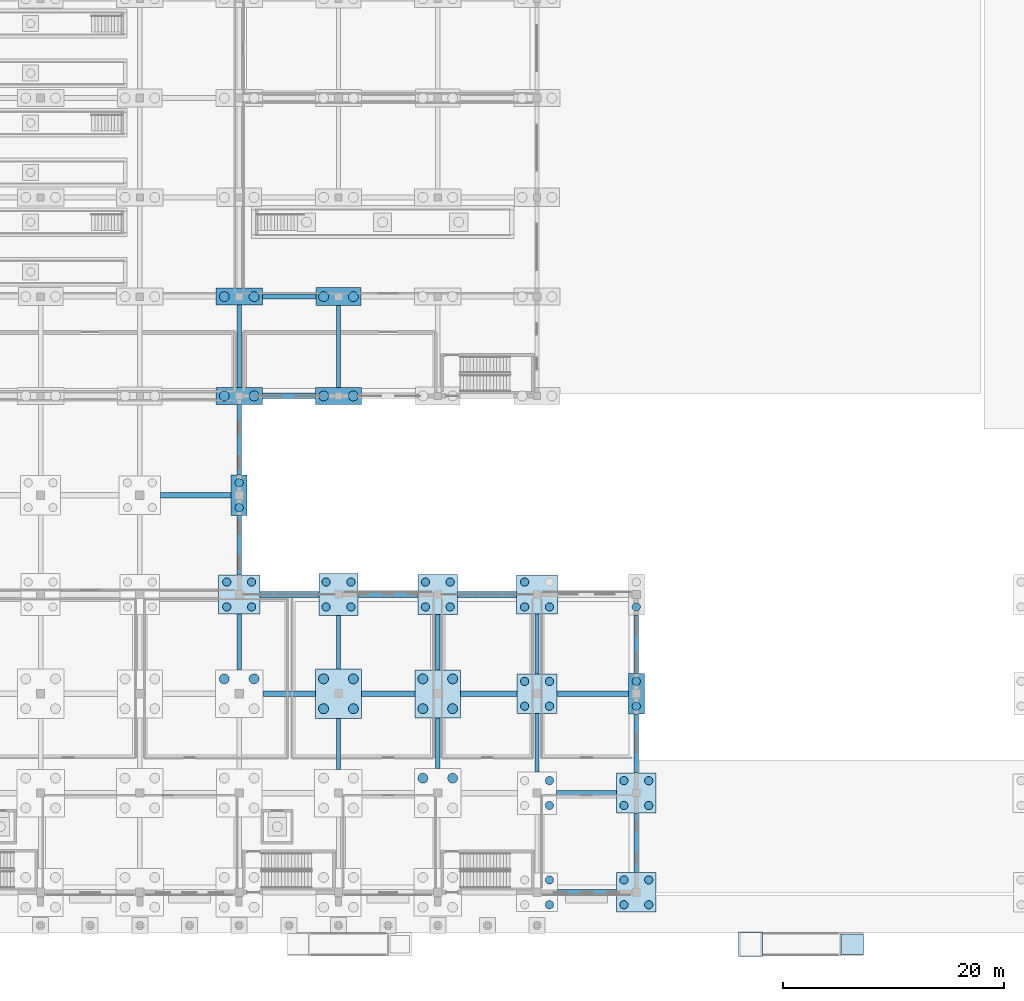
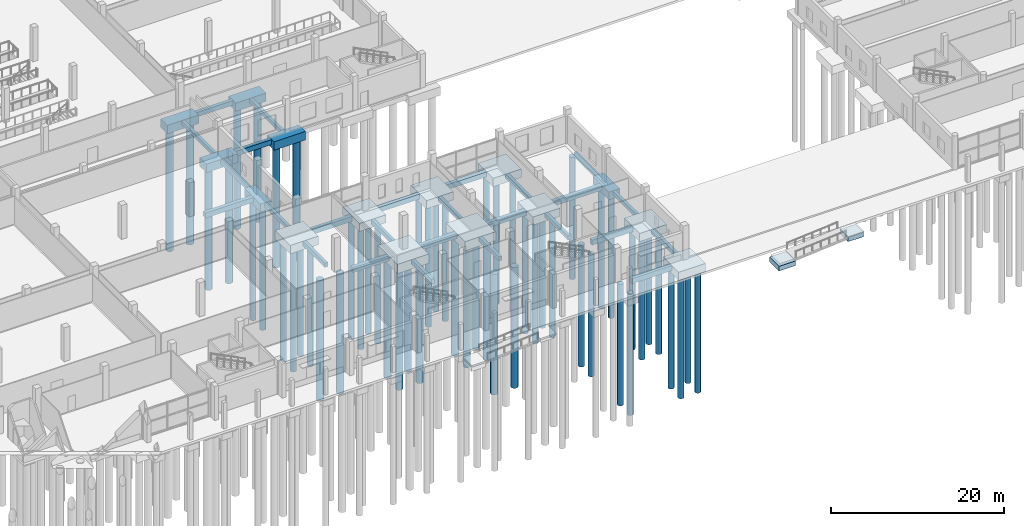
# One storey, part 5 of 112: 56 piles, 43 footings.
"""IFC4 building model written with IfcOpenShell, lengths in metres."""

from ifc_helpers import new_model, si_unit, direction, frame, origin, origin_2d, place, context, subcontext, project, spatial, polyline, rectangle, circle, outline, extrude, material, material_profile, profile_set, type_object, element, save


model = new_model("IFC4")

# Units and contexts
model_context = context("Model", 3, precision=1e-05, world=origin(), true_north=direction((0.0, 1.0)))
body_context = subcontext(model_context, "Body", "Model", "MODEL_VIEW")
ifc_project = project(units=[si_unit("LENGTHUNIT", "METRE"), si_unit("AREAUNIT", "SQUARE_METRE"), si_unit("VOLUMEUNIT", "CUBIC_METRE"), si_unit("PLANEANGLEUNIT", "RADIAN"), si_unit("MASSUNIT", "GRAM", prefix="KILO")], contexts=[model_context])

# Site, building, storey
site_placement = place(None, origin())
site = spatial("IfcSite", under=ifc_project, at=site_placement, CompositionType="ELEMENT")
building_placement = place(site_placement, origin())
building = spatial("IfcBuilding", under=site, at=building_placement, Name="Tharagai Park Tramway Depot", CompositionType="ELEMENT")
storey_placement = place(building_placement, origin())
storey = spatial("IfcBuildingStorey", under=building, at=storey_placement, Name="L00", CompositionType="ELEMENT", Elevation=0.0)

# Piles
ifc_material = material(Name="Concrete M40", Category="concrete")
ifc_material_profile_1 = material_profile(ifc_material, circle(Radius=0.449951171875, at=origin_2d()), Name="PILE D900")
ifc_profile_set_1 = profile_set([ifc_material_profile_1], Name="Concrete M40")
pile_type_1 = type_object("IfcPileType", Name="BP-01", PredefinedType="BORED", material=ifc_profile_set_1)
for number, where, z_axis, x_axis, name in (
    (1, (61.64990234375, 19.35009765625, -1.550048828125), (0.0, 0.0, -1.0), (1.0, 0.0, 0.0), "Bored Pile BP-01 (63,18) #3"),
    (2, (64.35009765625, 19.35009765625, -1.550048828125), (0.0, 0.0, -1.0), (1.0, 0.0, 0.0), "Bored Pile BP-01 (63,18) #4"),
):
    element("IfcPile", number, at=place(storey_placement, frame(where, z_axis=z_axis, x_axis=x_axis)), inside=storey, type_object=pile_type_1, Name=name, PredefinedType="BORED", context=body_context, shape_type="SweptSolid", body=[
        extrude(circle(Radius=0.449951171875, at=origin_2d()), origin(), (0.0, 0.0, 1.0), 16.949951171875),
    ])
for number, where, z_axis, x_axis, name in (
    (3, (61.64990234375, 45.0, -1.39990234375), (0.0, 0.0, -1.0), (1.0, 0.0, 0.0), "Bored Pile BP-01 (63,45) #1"),
    (4, (64.35009765625, 45.0, -1.39990234375), (0.0, 0.0, -1.0), (1.0, 0.0, 0.0), "Bored Pile BP-01 (63,45) #2"),
    (5, (61.64990234375, 54.0, -1.39990234375), (0.0, 0.0, -1.0), (1.0, 0.0, 0.0), "Bored Pile BP-01 (63,54) #1"),
    (6, (64.35009765625, 54.0, -1.39990234375), (0.0, 0.0, -1.0), (1.0, 0.0, 0.0), "Bored Pile BP-01 (63,54) #2"),
):
    element("IfcPile", number, at=place(storey_placement, frame(where, z_axis=z_axis, x_axis=x_axis)), inside=storey, type_object=pile_type_1, Name=name, PredefinedType="BORED", context=body_context, shape_type="SweptSolid", body=[
        extrude(circle(Radius=0.449951171875, at=origin_2d()), origin(), (0.0, 0.0, 1.0), 17.10009765625),
    ])
for number, where, z_axis, x_axis, name in (
    (7, (70.64990234375, 16.64990234375, -1.5), (0.0, 0.0, -1.0), (1.0, 0.0, 0.0), "Bored Pile BP-01 (72,18) #1"),
    (8, (73.35009765625, 16.64990234375, -1.5), (0.0, 0.0, -1.0), (1.0, 0.0, 0.0), "Bored Pile BP-01 (72,18) #2"),
    (9, (70.64990234375, 19.35009765625, -1.5), (0.0, 0.0, -1.0), (1.0, 0.0, 0.0), "Bored Pile BP-01 (72,18) #3"),
    (10, (73.35009765625, 19.35009765625, -1.5), (0.0, 0.0, -1.0), (1.0, 0.0, 0.0), "Bored Pile BP-01 (72,18) #4"),
):
    element("IfcPile", number, at=place(storey_placement, frame(where, z_axis=z_axis, x_axis=x_axis)), inside=storey, type_object=pile_type_1, Name=name, PredefinedType="BORED", context=body_context, shape_type="SweptSolid", body=[
        extrude(circle(Radius=0.449951171875, at=origin_2d()), origin(), (0.0, 0.0, 1.0), 17.0),
    ])
for number, where, z_axis, x_axis, name in (
    (11, (70.64990234375, 45.0, -1.39990234375), (0.0, 0.0, -1.0), (1.0, 0.0, 0.0), "Bored Pile BP-01 (72,45) #1"),
    (12, (73.35009765625, 45.0, -1.39990234375), (0.0, 0.0, -1.0), (1.0, 0.0, 0.0), "Bored Pile BP-01 (72,45) #2"),
):
    element("IfcPile", number, at=place(storey_placement, frame(where, z_axis=z_axis, x_axis=x_axis)), inside=storey, type_object=pile_type_1, Name=name, PredefinedType="BORED", context=body_context, shape_type="SweptSolid", body=[
        extrude(circle(Radius=0.449951171875, at=origin_2d()), origin(), (0.0, 0.0, 1.0), 17.10009765625),
    ])
for number, where, z_axis, x_axis, name in (
    (13, (70.64990234375, 54.0, -1.3798828125), (0.0, 0.0, -1.0), (1.0, 0.0, 0.0), "Bored Pile BP-01 (72,54) #1"),
    (14, (73.35009765625, 54.0, -1.3798828125), (0.0, 0.0, -1.0), (1.0, 0.0, 0.0), "Bored Pile BP-01 (72,54) #2"),
):
    element("IfcPile", number, at=place(storey_placement, frame(where, z_axis=z_axis, x_axis=x_axis)), inside=storey, type_object=pile_type_1, Name=name, PredefinedType="BORED", context=body_context, shape_type="SweptSolid", body=[
        extrude(circle(Radius=0.449951171875, at=origin_2d()), origin(), (0.0, 0.0, 1.0), 17.1201171875),
    ])
for number, where, z_axis, x_axis, name in (
    (15, (79.64990234375, 10.35009765625, -1.5), (0.0, 0.0, -1.0), (1.0, 0.0, 0.0), "Bored Pile BP-01 (81,9) #3"),
    (16, (82.35009765625, 10.35009765625, -1.5), (0.0, 0.0, -1.0), (1.0, 0.0, 0.0), "Bored Pile BP-01 (81,9) #4"),
):
    element("IfcPile", number, at=place(storey_placement, frame(where, z_axis=z_axis, x_axis=x_axis)), inside=storey, type_object=pile_type_1, Name=name, PredefinedType="BORED", context=body_context, shape_type="SweptSolid", body=[
        extrude(circle(Radius=0.449951171875, at=origin_2d()), origin(), (0.0, 0.0, 1.0), 17.0),
    ])
for number, where, z_axis, x_axis, name in (
    (17, (79.64990234375, 16.64990234375, -1.47998046875), (0.0, 0.0, -1.0), (1.0, 0.0, 0.0), "Bored Pile BP-01 (81,18) #1"),
    (18, (82.35009765625, 16.64990234375, -1.47998046875), (0.0, 0.0, -1.0), (1.0, 0.0, 0.0), "Bored Pile BP-01 (81,18) #2"),
    (19, (79.64990234375, 19.35009765625, -1.47998046875), (0.0, 0.0, -1.0), (1.0, 0.0, 0.0), "Bored Pile BP-01 (81,18) #3"),
    (20, (82.35009765625, 19.35009765625, -1.47998046875), (0.0, 0.0, -1.0), (1.0, 0.0, 0.0), "Bored Pile BP-01 (81,18) #4"),
):
    element("IfcPile", number, at=place(storey_placement, frame(where, z_axis=z_axis, x_axis=x_axis)), inside=storey, type_object=pile_type_1, Name=name, PredefinedType="BORED", context=body_context, shape_type="SweptSolid", body=[
        extrude(circle(Radius=0.449951171875, at=origin_2d()), origin(), (0.0, 0.0, 1.0), 17.02001953125),
    ])
ifc_material_profile_2 = material_profile(ifc_material, circle(Radius=0.375, at=origin_2d()), Name="PILE D750")
ifc_profile_set_2 = profile_set([ifc_material_profile_2], Name="Concrete M40")
pile_type_2 = type_object("IfcPileType", Name="BP-02", PredefinedType="BORED", material=ifc_profile_set_2)
for number, where, z_axis, x_axis, name in (
    (21, (61.875, 25.875, -1.39990234375), (0.0, 0.0, -1.0), (1.0, 0.0, 0.0), "Bored Pile BP-02 (63,27) #1"),
    (22, (64.125, 25.875, -1.39990234375), (0.0, 0.0, -1.0), (1.0, 0.0, 0.0), "Bored Pile BP-02 (63,27) #2"),
    (23, (61.875, 28.125, -1.39990234375), (0.0, 0.0, -1.0), (1.0, 0.0, 0.0), "Bored Pile BP-02 (63,27) #3"),
    (24, (64.125, 28.125, -1.39990234375), (0.0, 0.0, -1.0), (1.0, 0.0, 0.0), "Bored Pile BP-02 (63,27) #4"),
):
    element("IfcPile", number, at=place(storey_placement, frame(where, z_axis=z_axis, x_axis=x_axis)), inside=storey, type_object=pile_type_2, Name=name, PredefinedType="BORED", context=body_context, shape_type="SweptSolid", body=[
        extrude(circle(Radius=0.375, at=origin_2d()), origin(), (0.0, 0.0, 1.0), 17.10009765625),
    ])
for number, where, z_axis, x_axis, name in (
    (25, (63.0, 34.875, -1.280029296875), (0.0, 0.0, -1.0), (1.0, 0.0, 0.0), "Bored Pile BP-02 (63,36) #1"),
    (26, (63.0, 37.125, -1.280029296875), (0.0, 0.0, -1.0), (1.0, 0.0, 0.0), "Bored Pile BP-02 (63,36) #2"),
):
    element("IfcPile", number, at=place(storey_placement, frame(where, z_axis=z_axis, x_axis=x_axis)), inside=storey, type_object=pile_type_2, Name=name, PredefinedType="BORED", context=body_context, shape_type="SweptSolid", body=[
        extrude(circle(Radius=0.375, at=origin_2d()), origin(), (0.0, 0.0, 1.0), 17.219970703125),
    ])
for number, where, z_axis, x_axis, name in (
    (27, (70.875, 25.875, -1.320068359375), (0.0, 0.0, -1.0), (1.0, 0.0, 0.0), "Bored Pile BP-02 (72,27) #1"),
    (28, (73.125, 25.875, -1.320068359375), (0.0, 0.0, -1.0), (1.0, 0.0, 0.0), "Bored Pile BP-02 (72,27) #2"),
    (29, (70.875, 28.125, -1.320068359375), (0.0, 0.0, -1.0), (1.0, 0.0, 0.0), "Bored Pile BP-02 (72,27) #3"),
    (30, (73.125, 28.125, -1.320068359375), (0.0, 0.0, -1.0), (1.0, 0.0, 0.0), "Bored Pile BP-02 (72,27) #4"),
):
    element("IfcPile", number, at=place(storey_placement, frame(where, z_axis=z_axis, x_axis=x_axis)), inside=storey, type_object=pile_type_2, Name=name, PredefinedType="BORED", context=body_context, shape_type="SweptSolid", body=[
        extrude(circle(Radius=0.375, at=origin_2d()), origin(), (0.0, 0.0, 1.0), 17.179931640625),
    ])
for number, where, z_axis, x_axis, name in (
    (31, (79.875, 25.875, -1.35009765625), (0.0, 0.0, -1.0), (1.0, 0.0, 0.0), "Bored Pile BP-02 (81,27) #1"),
    (32, (82.125, 25.875, -1.35009765625), (0.0, 0.0, -1.0), (1.0, 0.0, 0.0), "Bored Pile BP-02 (81,27) #2"),
    (33, (79.875, 28.125, -1.35009765625), (0.0, 0.0, -1.0), (1.0, 0.0, 0.0), "Bored Pile BP-02 (81,27) #3"),
    (34, (82.125, 28.125, -1.35009765625), (0.0, 0.0, -1.0), (1.0, 0.0, 0.0), "Bored Pile BP-02 (81,27) #4"),
):
    element("IfcPile", number, at=place(storey_placement, frame(where, z_axis=z_axis, x_axis=x_axis)), inside=storey, type_object=pile_type_2, Name=name, PredefinedType="BORED", context=body_context, shape_type="SweptSolid", body=[
        extrude(circle(Radius=0.375, at=origin_2d()), origin(), (0.0, 0.0, 1.0), 17.14990234375),
    ])
for number, where, z_axis, x_axis, name in (
    (35, (91.125, -1.125, -1.39990234375), (0.0, 0.0, -1.0), (1.0, 0.0, 0.0), "Bored Pile BP-02 (90,0) #2"),
    (36, (91.125, 1.125, -1.39990234375), (0.0, 0.0, -1.0), (1.0, 0.0, 0.0), "Bored Pile BP-02 (90,0) #4"),
):
    element("IfcPile", number, at=place(storey_placement, frame(where, z_axis=z_axis, x_axis=x_axis)), inside=storey, type_object=pile_type_2, Name=name, PredefinedType="BORED", context=body_context, shape_type="SweptSolid", body=[
        extrude(circle(Radius=0.375, at=origin_2d()), origin(), (0.0, 0.0, 1.0), 17.10009765625),
    ])
for number, where, z_axis, x_axis, name in (
    (37, (91.125, 7.875, -1.320068359375), (0.0, 0.0, -1.0), (1.0, 0.0, 0.0), "Bored Pile BP-02 (90,9) #2"),
    (38, (91.125, 10.125, -1.320068359375), (0.0, 0.0, -1.0), (1.0, 0.0, 0.0), "Bored Pile BP-02 (90,9) #4"),
):
    element("IfcPile", number, at=place(storey_placement, frame(where, z_axis=z_axis, x_axis=x_axis)), inside=storey, type_object=pile_type_2, Name=name, PredefinedType="BORED", context=body_context, shape_type="SweptSolid", body=[
        extrude(circle(Radius=0.375, at=origin_2d()), origin(), (0.0, 0.0, 1.0), 17.179931640625),
    ])
for number, where, z_axis, x_axis, name in (
    (39, (88.875, 16.875, -1.35009765625), (0.0, 0.0, -1.0), (1.0, 0.0, 0.0), "Bored Pile BP-02 (90,18) #1"),
    (40, (91.125, 16.875, -1.35009765625), (0.0, 0.0, -1.0), (1.0, 0.0, 0.0), "Bored Pile BP-02 (90,18) #2"),
    (41, (88.875, 19.125, -1.35009765625), (0.0, 0.0, -1.0), (1.0, 0.0, 0.0), "Bored Pile BP-02 (90,18) #3"),
    (42, (91.125, 19.125, -1.35009765625), (0.0, 0.0, -1.0), (1.0, 0.0, 0.0), "Bored Pile BP-02 (90,18) #4"),
):
    element("IfcPile", number, at=place(storey_placement, frame(where, z_axis=z_axis, x_axis=x_axis)), inside=storey, type_object=pile_type_2, Name=name, PredefinedType="BORED", context=body_context, shape_type="SweptSolid", body=[
        extrude(circle(Radius=0.375, at=origin_2d()), origin(), (0.0, 0.0, 1.0), 17.14990234375),
    ])
for number, where, z_axis, x_axis, name in (
    (43, (88.875, 25.875, -1.39990234375), (0.0, 0.0, -1.0), (1.0, 0.0, 0.0), "Bored Pile BP-02 (90,27) #1"),
    (44, (91.125, 25.875, -1.39990234375), (0.0, 0.0, -1.0), (1.0, 0.0, 0.0), "Bored Pile BP-02 (90,27) #2"),
    (45, (88.875, 28.125, -1.39990234375), (0.0, 0.0, -1.0), (1.0, 0.0, 0.0), "Bored Pile BP-02 (90,27) #3"),
):
    element("IfcPile", number, at=place(storey_placement, frame(where, z_axis=z_axis, x_axis=x_axis)), inside=storey, type_object=pile_type_2, Name=name, PredefinedType="BORED", context=body_context, shape_type="SweptSolid", body=[
        extrude(circle(Radius=0.375, at=origin_2d()), origin(), (0.0, 0.0, 1.0), 17.10009765625),
    ])
for number, where, z_axis, x_axis, name in (
    (46, (97.875, -1.125, -1.35009765625), (0.0, 0.0, -1.0), (1.0, 0.0, 0.0), "Bored Pile BP-02 (99,0) #1"),
    (47, (100.125, -1.125, -1.35009765625), (0.0, 0.0, -1.0), (1.0, 0.0, 0.0), "Bored Pile BP-02 (99,0) #2"),
    (48, (97.875, 1.125, -1.35009765625), (0.0, 0.0, -1.0), (1.0, 0.0, 0.0), "Bored Pile BP-02 (99,0) #3"),
    (49, (100.125, 1.125, -1.35009765625), (0.0, 0.0, -1.0), (1.0, 0.0, 0.0), "Bored Pile BP-02 (99,0) #4"),
    (50, (97.875, 7.875, -1.35009765625), (0.0, 0.0, -1.0), (1.0, 0.0, 0.0), "Bored Pile BP-02 (99,9) #1"),
    (51, (100.125, 7.875, -1.35009765625), (0.0, 0.0, -1.0), (1.0, 0.0, 0.0), "Bored Pile BP-02 (99,9) #2"),
    (52, (97.875, 10.125, -1.35009765625), (0.0, 0.0, -1.0), (1.0, 0.0, 0.0), "Bored Pile BP-02 (99,9) #3"),
    (53, (100.125, 10.125, -1.35009765625), (0.0, 0.0, -1.0), (1.0, 0.0, 0.0), "Bored Pile BP-02 (99,9) #4"),
):
    element("IfcPile", number, at=place(storey_placement, frame(where, z_axis=z_axis, x_axis=x_axis)), inside=storey, type_object=pile_type_2, Name=name, PredefinedType="BORED", context=body_context, shape_type="SweptSolid", body=[
        extrude(circle(Radius=0.375, at=origin_2d()), origin(), (0.0, 0.0, 1.0), 17.14990234375),
    ])
for number, where, z_axis, x_axis, name in (
    (54, (99.0, 16.875, -1.280029296875), (0.0, 0.0, -1.0), (1.0, 0.0, 0.0), "Bored Pile BP-02 (99,18) #1"),
    (55, (99.0, 19.125, -1.280029296875), (0.0, 0.0, -1.0), (1.0, 0.0, 0.0), "Bored Pile BP-02 (99,18) #2"),
    (56, (99.0, 25.875, -1.280029296875), (0.0, 0.0, -1.0), (1.0, 0.0, 0.0), "Bored Pile BP-02 (99,27) #1"),
):
    element("IfcPile", number, at=place(storey_placement, frame(where, z_axis=z_axis, x_axis=x_axis)), inside=storey, type_object=pile_type_2, Name=name, PredefinedType="BORED", context=body_context, shape_type="SweptSolid", body=[
        extrude(circle(Radius=0.375, at=origin_2d()), origin(), (0.0, 0.0, 1.0), 17.219970703125),
    ])

# Footings
footing_type_1 = type_object("IfcFootingType", Name="GB-01", PredefinedType="FOOTING_BEAM", material=ifc_material)
footing_1_placement = place(storey_placement, frame((0.0, 0.0, -0.949951171875)))
element("IfcFooting", 57, at=footing_1_placement, inside=storey, type_object=footing_type_1, Name="Ground Tie Beam GB-01", PredefinedType="FOOTING_BEAM", context=body_context, shape_type="SweptSolid", body=[
    extrude(outline(polyline([(65.10009765625, 53.77490234375), (69.97509765625, 53.77490234375), (69.97509765625, 54.22509765625), (65.10009765625, 54.22509765625), (65.10009765625, 53.77490234375)])), origin(), (0.0, 0.0, 1.0), 0.64990234375),
])
footing_type_2 = type_object("IfcFootingType", Name="GB-02", PredefinedType="FOOTING_BEAM", material=ifc_material)
footing_2_placement = place(storey_placement, frame((0.0, 0.0, -1.0)))
element("IfcFooting", 58, at=footing_2_placement, inside=storey, type_object=footing_type_2, Name="Ground Tie Beam GB-02", PredefinedType="FOOTING_BEAM", context=body_context, shape_type="SweptSolid", body=[
    extrude(outline(polyline([(91.875, -0.25), (97.199951171875, -0.25), (97.199951171875, 0.25), (91.875, 0.25), (91.875, -0.25)])), origin(), (0.0, 0.0, 1.0), 0.699951171875),
])
footing_3_placement = place(storey_placement, frame((0.0, 0.0, -1.0)))
element("IfcFooting", 59, at=footing_3_placement, inside=storey, type_object=footing_type_2, Name="Ground Tie Beam GB-02", PredefinedType="FOOTING_BEAM", context=body_context, shape_type="SweptSolid", body=[
    extrude(outline(polyline([(91.77490234375, 8.75), (97.199951171875, 8.75), (97.199951171875, 9.25), (91.77490234375, 9.25), (91.77490234375, 8.75)])), origin(), (0.0, 0.0, 1.0), 0.699951171875),
])
footing_4_placement = place(storey_placement, frame((0.0, 0.0, -1.0)))
element("IfcFooting", 60, at=footing_4_placement, inside=storey, type_object=footing_type_2, Name="Ground Tie Beam GB-02", PredefinedType="FOOTING_BEAM", context=body_context, shape_type="SweptSolid", body=[
    extrude(outline(polyline([(65.14990234375, 17.75), (69.89990234375, 17.75), (69.89990234375, 18.25), (65.14990234375, 18.25), (65.14990234375, 17.75)])), origin(), (0.0, 0.0, 1.0), 0.699951171875),
])
footing_5_placement = place(storey_placement, frame((0.0, 0.0, -1.0)))
element("IfcFooting", 61, at=footing_5_placement, inside=storey, type_object=footing_type_2, Name="Ground Tie Beam GB-02", PredefinedType="FOOTING_BEAM", context=body_context, shape_type="SweptSolid", body=[
    extrude(outline(polyline([(74.10009765625, 17.75), (78.949951171875, 17.75), (78.949951171875, 18.25), (74.10009765625, 18.25), (74.10009765625, 17.75)])), origin(), (0.0, 0.0, 1.0), 0.699951171875),
])
footing_6_placement = place(storey_placement, frame((0.0, 0.0, -1.0)))
element("IfcFooting", 62, at=footing_6_placement, inside=storey, type_object=footing_type_2, Name="Ground Tie Beam GB-02", PredefinedType="FOOTING_BEAM", context=body_context, shape_type="SweptSolid", body=[
    extrude(outline(polyline([(83.050048828125, 17.75), (88.199951171875, 17.75), (88.199951171875, 18.25), (83.050048828125, 18.25), (83.050048828125, 17.75)])), origin(), (0.0, 0.0, 1.0), 0.699951171875),
])
footing_7_placement = place(storey_placement, frame((0.0, 0.0, -1.0)))
element("IfcFooting", 63, at=footing_7_placement, inside=storey, type_object=footing_type_2, Name="Ground Tie Beam GB-02", PredefinedType="FOOTING_BEAM", context=body_context, shape_type="SweptSolid", body=[
    extrude(outline(polyline([(91.800048828125, 17.75), (98.27490234375, 17.75), (98.27490234375, 18.25), (91.800048828125, 18.25), (91.800048828125, 17.75)])), origin(), (0.0, 0.0, 1.0), 0.699951171875),
])
footing_8_placement = place(storey_placement, frame((0.0, 0.0, -1.0)))
element("IfcFooting", 64, at=footing_8_placement, inside=storey, type_object=footing_type_2, Name="Ground Tie Beam GB-02", PredefinedType="FOOTING_BEAM", context=body_context, shape_type="SweptSolid", body=[
    extrude(outline(polyline([(64.875, 26.75), (70.22509765625, 26.75), (70.22509765625, 27.25), (64.875, 27.25), (64.875, 26.75)])), origin(), (0.0, 0.0, 1.0), 0.699951171875),
])
footing_9_placement = place(storey_placement, frame((0.0, 0.0, -1.0)))
element("IfcFooting", 65, at=footing_9_placement, inside=storey, type_object=footing_type_2, Name="Ground Tie Beam GB-02", PredefinedType="FOOTING_BEAM", context=body_context, shape_type="SweptSolid", body=[
    extrude(outline(polyline([(73.77490234375, 26.75), (79.199951171875, 26.75), (79.199951171875, 27.25), (73.77490234375, 27.25), (73.77490234375, 26.75)])), origin(), (0.0, 0.0, 1.0), 0.699951171875),
])
footing_10_placement = place(storey_placement, frame((0.0, 0.0, -1.0)))
element("IfcFooting", 66, at=footing_10_placement, inside=storey, type_object=footing_type_2, Name="Ground Tie Beam GB-02", PredefinedType="FOOTING_BEAM", context=body_context, shape_type="SweptSolid", body=[
    extrude(outline(polyline([(82.800048828125, 26.75), (88.125, 26.75), (88.125, 27.25), (82.800048828125, 27.25), (82.800048828125, 26.75)])), origin(), (0.0, 0.0, 1.0), 0.699951171875),
])
footing_11_placement = place(storey_placement, frame((0.0, 0.0, -1.0)))
element("IfcFooting", 67, at=footing_11_placement, inside=storey, type_object=footing_type_2, Name="Ground Tie Beam GB-02", PredefinedType="FOOTING_BEAM", context=body_context, shape_type="SweptSolid", body=[
    extrude(outline(polyline([(55.875, 35.75), (62.27490234375, 35.75), (62.27490234375, 36.25), (55.875, 36.25), (55.875, 35.75)])), origin(), (0.0, 0.0, 1.0), 0.699951171875),
])
footing_12_placement = place(storey_placement, frame((0.0, 0.0, -1.0)))
element("IfcFooting", 68, at=footing_12_placement, inside=storey, type_object=footing_type_2, Name="Ground Tie Beam GB-02", PredefinedType="FOOTING_BEAM", context=body_context, shape_type="SweptSolid", body=[
    extrude(outline(polyline([(65.10009765625, 44.75), (69.89990234375, 44.75), (69.89990234375, 45.25), (65.10009765625, 45.25), (65.10009765625, 44.75)])), origin(), (0.0, 0.0, 1.0), 0.699951171875),
])
footing_type_3 = type_object("IfcFootingType", Name="GB-04", PredefinedType="FOOTING_BEAM", material=ifc_material)
footing_13_placement = place(storey_placement, frame((0.0, 0.0, -0.89990234375)))
element("IfcFooting", 69, at=footing_13_placement, inside=storey, type_object=footing_type_3, Name="Ground Tie Beam GB-04", PredefinedType="FOOTING_BEAM", context=body_context, shape_type="SweptSolid", body=[
    extrude(outline(polyline([(62.800048828125, 20.14990234375), (63.199951171875, 20.14990234375), (63.199951171875, 25.25), (62.800048828125, 25.25), (62.800048828125, 20.14990234375)])), origin(), (0.0, 0.0, 1.0), 0.599853515625),
])
footing_14_placement = place(storey_placement, frame((0.0, 0.0, -0.89990234375)))
element("IfcFooting", 70, at=footing_14_placement, inside=storey, type_object=footing_type_3, Name="Ground Tie Beam GB-04", PredefinedType="FOOTING_BEAM", context=body_context, shape_type="SweptSolid", body=[
    extrude(outline(polyline([(62.800048828125, 28.75), (63.199951171875, 28.75), (63.199951171875, 34.14990234375), (62.800048828125, 34.14990234375), (62.800048828125, 28.75)])), origin(), (0.0, 0.0, 1.0), 0.599853515625),
])
footing_15_placement = place(storey_placement, frame((0.0, 0.0, -0.89990234375)))
element("IfcFooting", 71, at=footing_15_placement, inside=storey, type_object=footing_type_3, Name="Ground Tie Beam GB-04", PredefinedType="FOOTING_BEAM", context=body_context, shape_type="SweptSolid", body=[
    extrude(outline(polyline([(62.800048828125, 37.85009765625), (63.199951171875, 37.85009765625), (63.199951171875, 44.22509765625), (62.800048828125, 44.22509765625), (62.800048828125, 37.85009765625)])), origin(), (0.0, 0.0, 1.0), 0.599853515625),
])
footing_16_placement = place(storey_placement, frame((0.0, 0.0, -0.89990234375)))
element("IfcFooting", 72, at=footing_16_placement, inside=storey, type_object=footing_type_3, Name="Ground Tie Beam GB-04", PredefinedType="FOOTING_BEAM", context=body_context, shape_type="SweptSolid", body=[
    extrude(outline(polyline([(62.800048828125, 45.77490234375), (63.199951171875, 45.77490234375), (63.199951171875, 53.22509765625), (62.800048828125, 53.22509765625), (62.800048828125, 45.77490234375)])), origin(), (0.0, 0.0, 1.0), 0.599853515625),
])
footing_17_placement = place(storey_placement, frame((0.0, 0.0, -0.89990234375)))
element("IfcFooting", 73, at=footing_17_placement, inside=storey, type_object=footing_type_3, Name="Ground Tie Beam GB-04", PredefinedType="FOOTING_BEAM", context=body_context, shape_type="SweptSolid", body=[
    extrude(outline(polyline([(71.800048828125, 11.14990234375), (72.199951171875, 11.14990234375), (72.199951171875, 15.77490234375), (71.800048828125, 15.77490234375), (71.800048828125, 11.14990234375)])), origin(), (0.0, 0.0, 1.0), 0.599853515625),
])
footing_18_placement = place(storey_placement, frame((0.0, 0.0, -0.89990234375)))
element("IfcFooting", 74, at=footing_18_placement, inside=storey, type_object=footing_type_3, Name="Ground Tie Beam GB-04", PredefinedType="FOOTING_BEAM", context=body_context, shape_type="SweptSolid", body=[
    extrude(outline(polyline([(71.800048828125, 20.22509765625), (72.199951171875, 20.22509765625), (72.199951171875, 25.074951171875), (71.800048828125, 25.074951171875), (71.800048828125, 20.22509765625)])), origin(), (0.0, 0.0, 1.0), 0.599853515625),
])
footing_19_placement = place(storey_placement, frame((0.0, 0.0, -0.89990234375)))
element("IfcFooting", 75, at=footing_19_placement, inside=storey, type_object=footing_type_3, Name="Ground Tie Beam GB-04", PredefinedType="FOOTING_BEAM", context=body_context, shape_type="SweptSolid", body=[
    extrude(outline(polyline([(71.800048828125, 45.77490234375), (72.199951171875, 45.77490234375), (72.199951171875, 53.175048828125), (71.800048828125, 53.175048828125), (71.800048828125, 45.77490234375)])), origin(), (0.0, 0.0, 1.0), 0.599853515625),
])
footing_20_placement = place(storey_placement, frame((0.0, 0.0, -0.89990234375)))
element("IfcFooting", 76, at=footing_20_placement, inside=storey, type_object=footing_type_3, Name="Ground Tie Beam GB-04", PredefinedType="FOOTING_BEAM", context=body_context, shape_type="SweptSolid", body=[
    extrude(outline(polyline([(80.800048828125, 11.22509765625), (81.199951171875, 11.22509765625), (81.199951171875, 15.824951171875), (80.800048828125, 15.824951171875), (80.800048828125, 11.22509765625)])), origin(), (0.0, 0.0, 1.0), 0.599853515625),
])
footing_21_placement = place(storey_placement, frame((0.0, 0.0, -0.89990234375)))
element("IfcFooting", 77, at=footing_21_placement, inside=storey, type_object=footing_type_3, Name="Ground Tie Beam GB-04", PredefinedType="FOOTING_BEAM", context=body_context, shape_type="SweptSolid", body=[
    extrude(outline(polyline([(80.800048828125, 20.175048828125), (81.199951171875, 20.175048828125), (81.199951171875, 25.199951171875), (80.800048828125, 25.199951171875), (80.800048828125, 20.175048828125)])), origin(), (0.0, 0.0, 1.0), 0.599853515625),
])
footing_22_placement = place(storey_placement, frame((0.0, 0.0, -0.89990234375)))
element("IfcFooting", 78, at=footing_22_placement, inside=storey, type_object=footing_type_3, Name="Ground Tie Beam GB-04", PredefinedType="FOOTING_BEAM", context=body_context, shape_type="SweptSolid", body=[
    extrude(outline(polyline([(89.800048828125, 10.925048828125), (90.199951171875, 10.925048828125), (90.199951171875, 16.199951171875), (89.800048828125, 16.199951171875), (89.800048828125, 10.925048828125)])), origin(), (0.0, 0.0, 1.0), 0.599853515625),
])
footing_23_placement = place(storey_placement, frame((0.0, 0.0, -0.89990234375)))
element("IfcFooting", 79, at=footing_23_placement, inside=storey, type_object=footing_type_3, Name="Ground Tie Beam GB-04", PredefinedType="FOOTING_BEAM", context=body_context, shape_type="SweptSolid", body=[
    extrude(outline(polyline([(89.800048828125, 19.800048828125), (90.199951171875, 19.800048828125), (90.199951171875, 25.25), (89.800048828125, 25.25), (89.800048828125, 19.800048828125)])), origin(), (0.0, 0.0, 1.0), 0.599853515625),
])
footing_24_placement = place(storey_placement, frame((0.0, 0.0, -0.89990234375)))
element("IfcFooting", 80, at=footing_24_placement, inside=storey, type_object=footing_type_3, Name="Ground Tie Beam GB-04", PredefinedType="FOOTING_BEAM", context=body_context, shape_type="SweptSolid", body=[
    extrude(outline(polyline([(98.800048828125, 1.800048828125), (99.199951171875, 1.800048828125), (99.199951171875, 7.199951171875), (98.800048828125, 7.199951171875), (98.800048828125, 1.800048828125)])), origin(), (0.0, 0.0, 1.0), 0.599853515625),
])
footing_25_placement = place(storey_placement, frame((0.0, 0.0, -0.89990234375)))
element("IfcFooting", 81, at=footing_25_placement, inside=storey, type_object=footing_type_3, Name="Ground Tie Beam GB-04", PredefinedType="FOOTING_BEAM", context=body_context, shape_type="SweptSolid", body=[
    extrude(outline(polyline([(98.800048828125, 10.800048828125), (99.199951171875, 10.800048828125), (99.199951171875, 16.14990234375), (98.800048828125, 16.14990234375), (98.800048828125, 10.800048828125)])), origin(), (0.0, 0.0, 1.0), 0.599853515625),
])
footing_26_placement = place(storey_placement, frame((0.0, 0.0, -0.89990234375)))
element("IfcFooting", 82, at=footing_26_placement, inside=storey, type_object=footing_type_3, Name="Ground Tie Beam GB-04", PredefinedType="FOOTING_BEAM", context=body_context, shape_type="SweptSolid", body=[
    extrude(outline(polyline([(98.800048828125, 19.85009765625), (99.199951171875, 19.85009765625), (99.199951171875, 25.14990234375), (98.800048828125, 25.14990234375), (98.800048828125, 19.85009765625)])), origin(), (0.0, 0.0, 1.0), 0.599853515625),
])
footing_type_4 = type_object("IfcFootingType", Name="PC-01", PredefinedType="PILE_CAP", material=ifc_material)
footing_27_placement = place(storey_placement, frame((72.0, 18.0, -1.60009765625), z_axis=(0.0, 0.0, 1.0), x_axis=(1.0, 0.0, 0.0)))
element("IfcFooting", 83, at=footing_27_placement, inside=storey, type_object=footing_type_4, Name="Pile Cap PC-01 (72,18)", PredefinedType="PILE_CAP", context=body_context, shape_type="SweptSolid", body=[
    extrude(rectangle(XDim=4.199951171875, YDim=4.449951171875, at=origin_2d()), origin(), (0.0, 0.0, 1.0), 1.300048828125),
])
footing_type_5 = type_object("IfcFootingType", Name="PC-03", PredefinedType="PILE_CAP", material=ifc_material)
for number, where, z_axis, x_axis, name in (
    (84, (81.0, 27.0, -1.449951171875), (0.0, 0.0, 1.0), (1.0, 0.0, 0.0), "Pile Cap PC-03 (81,27)"),
    (85, (90.0, 18.0, -1.449951171875), (0.0, 0.0, 1.0), (1.0, 0.0, 0.0), "Pile Cap PC-03 (90,18)"),
    (86, (99.0, 0.0, -1.449951171875), (0.0, 0.0, 1.0), (1.0, 0.0, 0.0), "Pile Cap PC-03 (99,0)"),
    (87, (99.0, 9.0, -1.449951171875), (0.0, 0.0, 1.0), (1.0, 0.0, 0.0), "Pile Cap PC-03 (99,9)"),
):
    element("IfcFooting", number, at=place(storey_placement, frame(where, z_axis=z_axis, x_axis=x_axis)), inside=storey, type_object=footing_type_5, Name=name, PredefinedType="PILE_CAP", context=body_context, shape_type="SweptSolid", body=[
        extrude(rectangle(XDim=3.60009765625, YDim=3.60009765625, at=origin_2d()), origin(), (0.0, 0.0, 1.0), 1.14990234375),
    ])
footing_type_6 = type_object("IfcFootingType", Name="PC-04", PredefinedType="PILE_CAP", material=ifc_material)
footing_28_placement = place(storey_placement, frame((81.0, 18.0, -1.580078125), z_axis=(0.0, 0.0, 1.0), x_axis=(1.0, 0.0, 0.0)))
element("IfcFooting", 88, at=footing_28_placement, inside=storey, type_object=footing_type_6, Name="Pile Cap PC-04 (81,18)", PredefinedType="PILE_CAP", context=body_context, shape_type="SweptSolid", body=[
    extrude(rectangle(XDim=4.10009765625, YDim=4.35009765625, at=origin_2d()), origin(), (0.0, 0.0, 1.0), 1.280029296875),
])
footing_type_7 = type_object("IfcFootingType", Name="PC-07", PredefinedType="PILE_CAP", material=ifc_material)
for number, where, z_axis, x_axis, name in (
    (89, (63.0, 27.0, -1.5), (0.0, 0.0, 1.0), (1.0, 0.0, 0.0), "Pile Cap PC-07 (63,27)"),
    (90, (90.0, 27.0, -1.5), (0.0, 0.0, 1.0), (1.0, 0.0, 0.0), "Pile Cap PC-07 (90,27)"),
):
    element("IfcFooting", number, at=place(storey_placement, frame(where, z_axis=z_axis, x_axis=x_axis)), inside=storey, type_object=footing_type_7, Name=name, PredefinedType="PILE_CAP", context=body_context, shape_type="SweptSolid", body=[
        extrude(rectangle(XDim=3.75, YDim=3.5, at=origin_2d()), origin(), (0.0, 0.0, 1.0), 1.199951171875),
    ])
footing_type_8 = type_object("IfcFootingType", Name="PC-09", PredefinedType="PILE_CAP", material=ifc_material)
footing_29_placement = place(storey_placement, frame((72.0, 27.0, -1.420166015625), z_axis=(0.0, 0.0, 1.0), x_axis=(1.0, 0.0, 0.0)))
element("IfcFooting", 91, at=footing_29_placement, inside=storey, type_object=footing_type_8, Name="Pile Cap PC-09 (72,27)", PredefinedType="PILE_CAP", context=body_context, shape_type="SweptSolid", body=[
    extrude(rectangle(XDim=3.550048828125, YDim=3.85009765625, at=origin_2d()), origin(), (0.0, 0.0, 1.0), 1.1201171875),
])
footing_type_9 = type_object("IfcFootingType", Name="PC-13", PredefinedType="PILE_CAP", material=ifc_material)
footing_30_placement = place(storey_placement, frame((72.0, 54.0, -1.47998046875), z_axis=(0.0, 0.0, 1.0), x_axis=(1.0, 0.0, 0.0)))
element("IfcFooting", 92, at=footing_30_placement, inside=storey, type_object=footing_type_9, Name="Pile Cap PC-13 (72,54)", PredefinedType="PILE_CAP", context=body_context, shape_type="SweptSolid", body=[
    extrude(rectangle(XDim=4.050048828125, YDim=1.64990234375, at=origin_2d()), origin(), (0.0, 0.0, 1.0), 1.179931640625),
])
footing_type_10 = type_object("IfcFootingType", Name="PC-14", PredefinedType="PILE_CAP", material=ifc_material)
for number, where, z_axis, x_axis, name in (
    (93, (63.0, 36.0, -1.380126953125), (0.0, 0.0, 1.0), (1.0, 0.0, 0.0), "Pile Cap PC-14 (63,36)"),
    (94, (99.0, 18.0, -1.380126953125), (0.0, 0.0, 1.0), (1.0, 0.0, 0.0), "Pile Cap PC-14 (99,18)"),
):
    element("IfcFooting", number, at=place(storey_placement, frame(where, z_axis=z_axis, x_axis=x_axis)), inside=storey, type_object=footing_type_10, Name=name, PredefinedType="PILE_CAP", context=body_context, shape_type="SweptSolid", body=[
        extrude(rectangle(XDim=1.449951171875, YDim=3.699951171875, at=origin_2d()), origin(), (0.0, 0.0, 1.0), 1.080078125),
    ])
footing_type_11 = type_object("IfcFootingType", Name="PC-15", PredefinedType="PILE_CAP", material=ifc_material)
for number, where, z_axis, x_axis, name in (
    (95, (63.0, 45.0, -1.5), (0.0, 0.0, 1.0), (1.0, 0.0, 0.0), "Pile Cap PC-15 (63,45)"),
    (96, (63.0, 54.0, -1.5), (0.0, 0.0, 1.0), (1.0, 0.0, 0.0), "Pile Cap PC-15 (63,54)"),
    (97, (72.0, 45.0, -1.5), (0.0, 0.0, 1.0), (1.0, 0.0, 0.0), "Pile Cap PC-15 (72,45)"),
):
    element("IfcFooting", number, at=place(storey_placement, frame(where, z_axis=z_axis, x_axis=x_axis)), inside=storey, type_object=footing_type_11, Name=name, PredefinedType="PILE_CAP", context=body_context, shape_type="SweptSolid", body=[
        extrude(rectangle(XDim=4.199951171875, YDim=1.550048828125, at=origin_2d()), origin(), (0.0, 0.0, 1.0), 1.199951171875),
    ])
footing_type_12 = type_object("IfcFootingType", Name="PF-03", PredefinedType="PAD_FOOTING", material=ifc_material)
footing_31_placement = place(storey_placement, frame((109.340087890625, -4.699951171875, -1.56005859375), z_axis=(0.0, 0.0, 1.0), x_axis=(1.0, 0.0, 0.0)))
element("IfcFooting", 98, at=footing_31_placement, inside=storey, type_object=footing_type_12, Name="Ramp Pad Footing PF-03", PredefinedType="PAD_FOOTING", context=body_context, shape_type="SweptSolid", body=[
    extrude(rectangle(XDim=2.199951171875, YDim=2.199951171875, at=origin_2d()), origin(), (0.0, 0.0, 1.0), 0.64990234375),
])
footing_type_13 = type_object("IfcFootingType", Name="PF-05", PredefinedType="PAD_FOOTING", material=ifc_material)
footing_32_placement = place(storey_placement, frame((118.56005859375, -4.699951171875, -0.81005859375), z_axis=(0.0, 0.0, 1.0), x_axis=(1.0, 0.0, 0.0)))
element("IfcFooting", 99, at=footing_32_placement, inside=storey, type_object=footing_type_13, Name="Ramp Pad Footing PF-05", PredefinedType="PAD_FOOTING", context=body_context, shape_type="SweptSolid", body=[
    extrude(rectangle(XDim=2.050048828125, YDim=1.85009765625, at=origin_2d()), origin(), (0.0, 0.0, 1.0), 0.6201171875),
])

save(model, "model.ifc")
